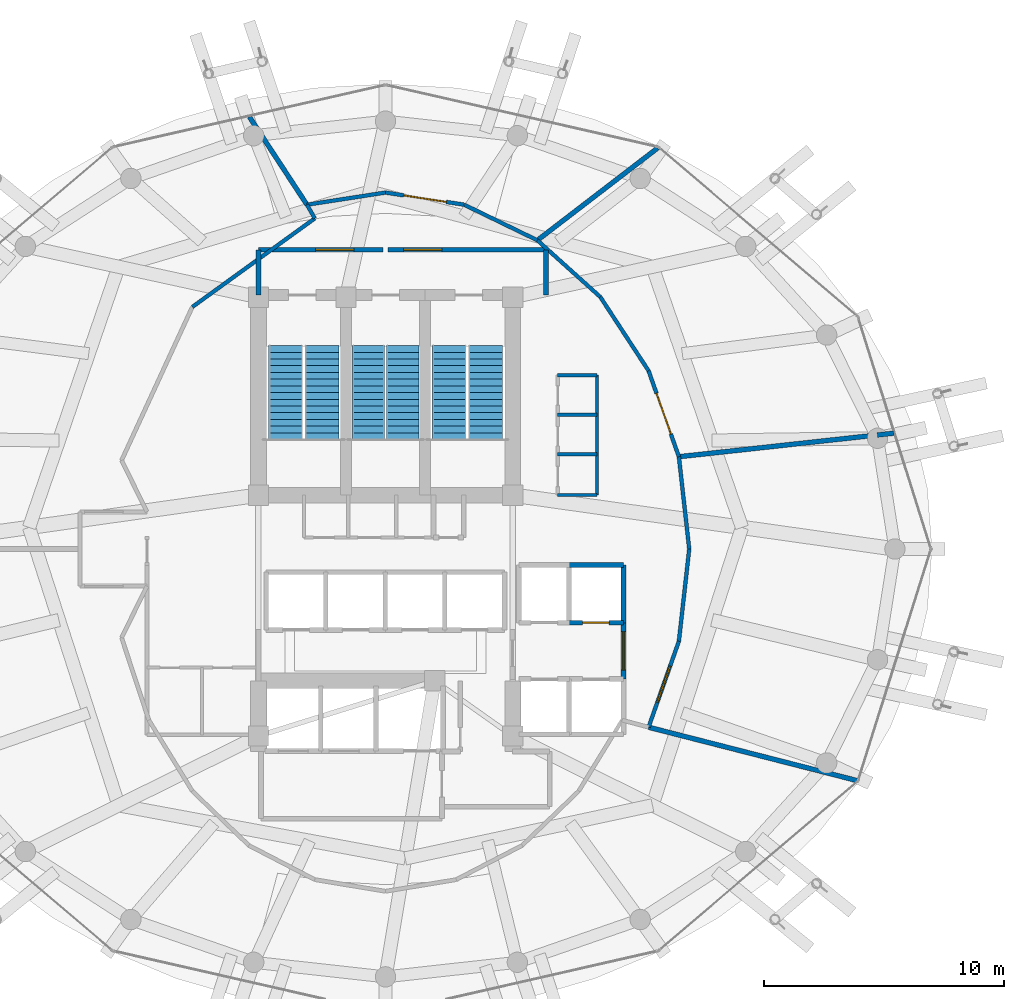
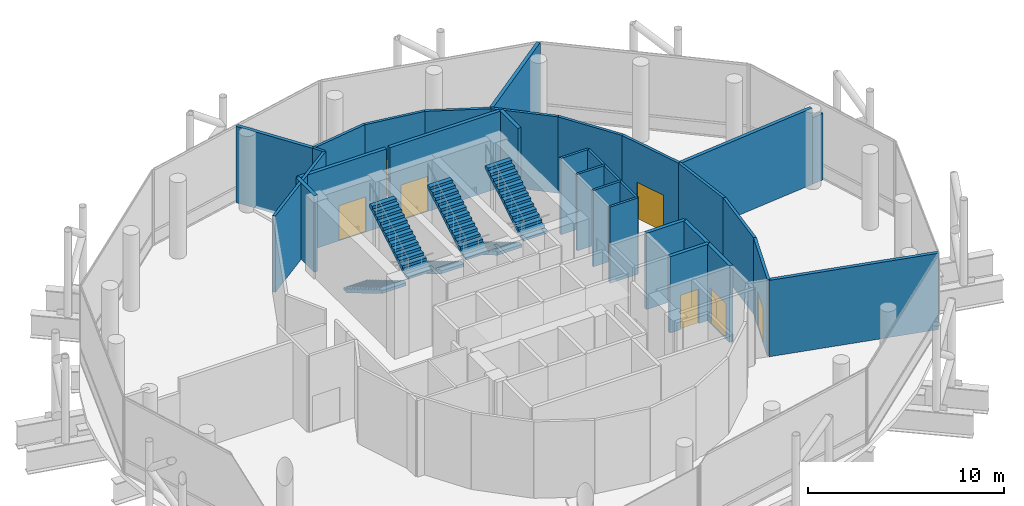
# One storey, part 26 of 31: 29 walls, 7 doors, 6 stair flights, 7 openings, 3 elements without a shape of their own.
"""IFC4 building model written with IfcOpenShell, lengths in metres."""

from ifc_helpers import new_model, si_unit, direction, frame, frame_2d, origin, place, context, subcontext, project, spatial, polyline, rectangle, outline, extrude, material, layer, layer_set, type_object, element, fill, aggregate, save


model = new_model("IFC4")

# Units and contexts
model_context = context("Model", 3, precision=1e-05, world=origin(), true_north=direction((0.0, 1.0)))
body_context = subcontext(model_context, "Body", "Model", "MODEL_VIEW")
ifc_project = project(units=[si_unit("LENGTHUNIT", "METRE"), si_unit("AREAUNIT", "SQUARE_METRE"), si_unit("VOLUMEUNIT", "CUBIC_METRE"), si_unit("PLANEANGLEUNIT", "RADIAN"), si_unit("MASSUNIT", "GRAM", prefix="KILO")], contexts=[model_context])

# Site, building, storey
site_placement = place(None, origin())
site = spatial("IfcSite", under=ifc_project, at=site_placement, CompositionType="ELEMENT")
building_placement = place(site_placement, origin())
building = spatial("IfcBuilding", under=site, at=building_placement, Name="Nuhasar Tower", CompositionType="ELEMENT")
storey_placement = place(building_placement, frame((0.0, 0.0, 203.14990234375)))
storey = spatial("IfcBuildingStorey", under=building, at=storey_placement, Name="L49", CompositionType="ELEMENT", Elevation=203.14990234375)

# Wall, opening, door
ifc_material_1 = material(Name="Gypsum Board", Category="gypsum")
ifc_layer_1 = layer(ifc_material_1, 0.159912109375)
ifc_layer_set_1 = layer_set([ifc_layer_1], Name="Gypsum Board")
wall_type_1 = type_object("IfcWallType", Name="WL-CORR-160", PredefinedType="PARTITIONING", material=ifc_layer_set_1)
wall_1_placement = place(storey_placement, frame((51.238037109375, 22.950927734375, 0.0), z_axis=(0.0, 0.0, 1.0), x_axis=(-0.332705930675, -0.943030627124, 0.0)))
wall_1 = element("IfcWall", 1, at=wall_1_placement, inside=storey, type_object=wall_type_1, Name="L49 Interior Partition CORR-44", PredefinedType="PARTITIONING", context=body_context, shape_type="SweptSolid", body=[
    extrude(rectangle(XDim=3.802490234375, YDim=0.159912109375, at=frame_2d((1.9013671875, 0.0))), origin(), (0.0, 0.0, 1.0), 4.760009765625),
])
opening_1_placement = place(wall_1_placement, frame((1.10107421875, 0.0, 0.0)))
opening_1 = element("IfcOpeningElement", 2, at=opening_1_placement, cuts=wall_1, Name="Opening DC-01", PredefinedType="OPENING", context=body_context, shape_type="SweptSolid", body=[
    extrude(rectangle(XDim=1.60009765625, YDim=2.199951171875, at=frame_2d((0.800048828125, 1.10009765625))), frame((0.0, 0.08984375, 0.0), z_axis=(0.0, -1.0, 0.0), x_axis=(1.0, 0.0, 0.0)), (0.0, 0.0, 1.0), 0.179931640625),
])
ifc_material_2 = material(Name="Steel S355", Category="steel")
door_type_1 = type_object("IfcDoorType", Name="DR-CORR-FD60-1600", OperationType="DOUBLE_DOOR_SINGLE_SWING", PredefinedType="DOOR", material=ifc_material_2)
door_1_placement = place(opening_1_placement, origin())
door_1 = element("IfcDoor", 3, at=door_1_placement, inside=storey, type_object=door_type_1, Name="L49 South-East Management Office Door", OperationType="DOUBLE_DOOR_SINGLE_SWING", OverallHeight=2.199951171875, OverallWidth=1.60009765625, PredefinedType="DOOR", context=body_context, shape_type="SweptSolid", body=[
    extrude(rectangle(XDim=1.60009765625, YDim=2.199951171875, at=frame_2d((0.800048828125, 1.10009765625))), frame((0.0, 0.02490234375, 0.0), z_axis=(0.0, -1.0, 0.0), x_axis=(1.0, 0.0, 0.0)), (0.0, 0.0, 1.0), 0.050048828125),
])
fill(opening_1, door_1)

# Walls
wall_2_placement = place(storey_placement, frame((51.238037109375, 22.950927734375, 0.0), z_axis=(0.0, 0.0, 1.0), x_axis=(0.1115037761, 0.993764010173, 0.0)))
element("IfcWall", 4, at=wall_2_placement, inside=storey, type_object=wall_type_1, Name="L49 Interior Partition CORR-46", PredefinedType="PARTITIONING", context=body_context, shape_type="SweptSolid", body=[
    extrude(rectangle(XDim=3.873291015625, YDim=0.159912109375, at=frame_2d((1.9365234375, 0.0))), origin(), (0.0, 0.0, 1.0), 4.760009765625),
])
wall_3_placement = place(storey_placement, frame((51.669921875, 26.800048828125, 0.0), z_axis=(0.0, 0.0, 1.0), x_axis=(-0.111510761023, 0.993763226416, 0.0)))
element("IfcWall", 5, at=wall_3_placement, inside=storey, type_object=wall_type_1, Name="L49 Interior Partition CORR-00", PredefinedType="PARTITIONING", context=body_context, shape_type="SweptSolid", body=[
    extrude(rectangle(XDim=3.873046875, YDim=0.159912109375, at=frame_2d((1.9365234375, 0.0))), origin(), (0.0, 0.0, 1.0), 4.760009765625),
])

# Wall, opening, door
wall_4_placement = place(storey_placement, frame((49.972900390625, 34.235107421875, 0.0), z_axis=(0.0, 0.0, 1.0), x_axis=(0.332685787644, -0.943037733444, 0.0)))
wall_4 = element("IfcWall", 6, at=wall_4_placement, inside=storey, type_object=wall_type_1, Name="L49 Interior Partition CORR-02", PredefinedType="PARTITIONING", context=body_context, shape_type="SweptSolid", body=[
    extrude(rectangle(XDim=3.802734375, YDim=0.159912109375, at=frame_2d((1.9013671875, 0.0))), origin(), (0.0, 0.0, 1.0), 4.760009765625),
])
opening_2_placement = place(wall_4_placement, frame((1.0009765625, 0.0, 0.0)))
opening_2 = element("IfcOpeningElement", 7, at=opening_2_placement, cuts=wall_4, Name="Opening DB-02", PredefinedType="OPENING", context=body_context, shape_type="SweptSolid", body=[
    extrude(rectangle(XDim=1.800048828125, YDim=2.300048828125, at=frame_2d((0.89990234375, 1.14990234375))), frame((0.0, 0.08984375, 0.0), z_axis=(0.0, -1.0, 0.0), x_axis=(1.0, 0.0, 0.0)), (0.0, 0.0, 1.0), 0.179931640625),
])
ifc_material_3 = material(Name="Aluminium 6063-T6", Category="aluminium")
door_type_2 = type_object("IfcDoorType", Name="DR-BALL-FD60-1800", OperationType="DOUBLE_DOOR_SINGLE_SWING", PredefinedType="DOOR", material=ifc_material_3)
door_2_placement = place(opening_2_placement, origin())
door_2 = element("IfcDoor", 8, at=door_2_placement, inside=storey, type_object=door_type_2, Name="L49 East Sky Hall Door", OperationType="DOUBLE_DOOR_SINGLE_SWING", OverallHeight=2.300048828125, OverallWidth=1.800048828125, PredefinedType="DOOR", context=body_context, shape_type="SweptSolid", body=[
    extrude(rectangle(XDim=1.800048828125, YDim=2.300048828125, at=frame_2d((0.89990234375, 1.14990234375))), frame((0.0, 0.02490234375, 0.0), z_axis=(0.0, -1.0, 0.0), x_axis=(1.0, 0.0, 0.0)), (0.0, 0.0, 1.0), 0.050048828125),
])
fill(opening_2, door_2)

# Walls
wall_5_placement = place(storey_placement, frame((49.972900390625, 34.235107421875, 0.0), z_axis=(0.0, 0.0, 1.0), x_axis=(-0.547283325884, 0.836947406477, 0.0)))
element("IfcWall", 9, at=wall_5_placement, inside=storey, type_object=wall_type_1, Name="L49 Interior Partition CORR-04", PredefinedType="PARTITIONING", context=body_context, shape_type="SweptSolid", body=[
    extrude(rectangle(XDim=3.679931640625, YDim=0.159912109375, at=frame_2d((1.83984375, 0.0))), origin(), (0.0, 0.0, 1.0), 4.760009765625),
])
wall_6_placement = place(storey_placement, frame((47.958984375, 37.31494140625, 0.0), z_axis=(0.0, 0.0, 1.0), x_axis=(-0.743094720901, 0.669186248939, 0.0)))
element("IfcWall", 10, at=wall_6_placement, inside=storey, type_object=wall_type_1, Name="L49 Interior Partition CORR-06", PredefinedType="PARTITIONING", context=body_context, shape_type="SweptSolid", body=[
    extrude(rectangle(XDim=3.53125, YDim=0.159912109375, at=frame_2d((1.765625, 0.0))), origin(), (0.0, 0.0, 1.0), 4.760009765625),
])
wall_7_placement = place(storey_placement, frame((45.3349609375, 39.677978515625, 0.0), z_axis=(0.0, 0.0, 1.0), x_axis=(-0.899414545514, 0.437096642995, 0.0)))
element("IfcWall", 11, at=wall_7_placement, inside=storey, type_object=wall_type_1, Name="L49 Interior Partition CORR-08", PredefinedType="PARTITIONING", context=body_context, shape_type="SweptSolid", body=[
    extrude(rectangle(XDim=3.397705078125, YDim=0.159912109375, at=frame_2d((1.69873046875, 0.0))), origin(), (0.0, 0.0, 1.0), 4.760009765625),
])

# Wall, opening, door
wall_8_placement = place(storey_placement, frame((39.0, 41.669921875, 0.0), z_axis=(0.0, 0.0, 1.0), x_axis=(0.988264270775, -0.15275382519, 0.0)))
wall_8 = element("IfcWall", 12, at=wall_8_placement, inside=storey, type_object=wall_type_1, Name="L49 Interior Partition CORR-10", PredefinedType="PARTITIONING", context=body_context, shape_type="SweptSolid", body=[
    extrude(rectangle(XDim=3.31787109375, YDim=0.159912109375, at=frame_2d((1.658935546875, 0.0))), origin(), (0.0, 0.0, 1.0), 4.760009765625),
])
opening_3_placement = place(wall_8_placement, frame((0.759033203125, 0.0, 0.0)))
opening_3 = element("IfcOpeningElement", 13, at=opening_3_placement, cuts=wall_8, Name="Opening DB-02", PredefinedType="OPENING", context=body_context, shape_type="SweptSolid", body=[
    extrude(rectangle(XDim=1.800048828125, YDim=2.300048828125, at=frame_2d((0.89990234375, 1.14990234375))), frame((0.0, 0.08984375, 0.0), z_axis=(0.0, -1.0, 0.0), x_axis=(1.0, 0.0, 0.0)), (0.0, 0.0, 1.0), 0.179931640625),
])
door_3_placement = place(opening_3_placement, origin())
door_3 = element("IfcDoor", 14, at=door_3_placement, inside=storey, type_object=door_type_2, Name="L49 North Viewing Lounge Door", OperationType="DOUBLE_DOOR_SINGLE_SWING", OverallHeight=2.300048828125, OverallWidth=1.800048828125, PredefinedType="DOOR", context=body_context, shape_type="SweptSolid", body=[
    extrude(rectangle(XDim=1.800048828125, YDim=2.300048828125, at=frame_2d((0.89990234375, 1.14990234375))), frame((0.0, 0.02490234375, 0.0), z_axis=(0.0, -1.0, 0.0), x_axis=(1.0, 0.0, 0.0)), (0.0, 0.0, 1.0), 0.050048828125),
])
fill(opening_3, door_3)

# Walls
wall_9_placement = place(storey_placement, frame((39.0, 41.669921875, 0.0), z_axis=(0.0, 0.0, 1.0), x_axis=(-0.988264270775, -0.15275382519, 0.0)))
element("IfcWall", 15, at=wall_9_placement, inside=storey, type_object=wall_type_1, Name="L49 Interior Partition CORR-12", PredefinedType="PARTITIONING", context=body_context, shape_type="SweptSolid", body=[
    extrude(rectangle(XDim=3.31787109375, YDim=0.159912109375, at=frame_2d((1.658935546875, 0.0))), origin(), (0.0, 0.0, 1.0), 4.760009765625),
])
wall_10_placement = place(storey_placement, frame((36.049072265625, 40.593017578125, 0.0), z_axis=(0.0, 0.0, 1.0), x_axis=(-0.498854625265, 0.866685677078, 0.0)))
element("IfcWall", 16, at=wall_10_placement, inside=storey, type_object=wall_type_1, Name="L49 Interior Partition SRAD-14-IN", PredefinedType="PARTITIONING", context=body_context, shape_type="SweptSolid", body=[
    extrude(rectangle(XDim=0.65771484375, YDim=0.159912109375, at=frame_2d((0.328857421875, 0.0))), origin(), (0.0, 0.0, 1.0), 4.760009765625),
])
wall_11_placement = place(storey_placement, frame((36.049072265625, 40.593017578125, 0.0), z_axis=(0.0, 0.0, 1.0), x_axis=(-0.810271736342, -0.58605436035, 0.0)))
element("IfcWall", 17, at=wall_11_placement, inside=storey, type_object=wall_type_1, Name="L49 Interior Partition SWEST-CORE-N-14", PredefinedType="PARTITIONING", context=body_context, shape_type="SweptSolid", body=[
    extrude(rectangle(XDim=6.306640625, YDim=0.159912109375, at=frame_2d((3.1533203125, 0.0))), origin(), (0.0, 0.0, 1.0), 4.760009765625),
])
ifc_material_4 = material(Name="Concrete C45/55", Category="concrete")
ifc_layer_2 = layer(ifc_material_4, 0.199951171875)
ifc_layer_set_2 = layer_set([ifc_layer_2], Name="Concrete C45/55")
wall_type_2 = type_object("IfcWallType", Name="WL-LOBBY-200", PredefinedType="SOLIDWALL", material=ifc_layer_set_2)
for number, where, z_axis, x_axis, name in (
    (18, (33.699951171875, 37.39990234375, 0.0), (0.0, 0.0, 1.0), (0.0, 1.0, 0.0), "L49 Interior Partition NSL-W"),
    (19, (45.699951171875, 37.39990234375, 0.0), (0.0, 0.0, 1.0), (0.0, 1.0, 0.0), "L49 Interior Partition NSL-E"),
):
    element("IfcWall", number, at=place(storey_placement, frame(where, z_axis=z_axis, x_axis=x_axis)), inside=storey, type_object=wall_type_2, Name=name, PredefinedType="SOLIDWALL", context=body_context, shape_type="SweptSolid", body=[
        extrude(rectangle(XDim=1.880126953125, YDim=0.199951171875, at=frame_2d((0.93994140625, 0.0))), origin(), (0.0, 0.0, 1.0), 4.760009765625),
    ])

# Wall, opening, door
wall_12_placement = place(storey_placement, frame((38.89990234375, 39.280029296875, 0.0), z_axis=(0.0, 0.0, 1.0), x_axis=(-1.0, 0.0, 0.0)))
wall_12 = element("IfcWall", 20, at=wall_12_placement, inside=storey, type_object=wall_type_2, Name="L49 Interior Partition NSL-N1", PredefinedType="SOLIDWALL", context=body_context, shape_type="SweptSolid", body=[
    extrude(rectangle(XDim=5.199951171875, YDim=0.199951171875, at=frame_2d((2.60009765625, 0.0))), origin(), (0.0, 0.0, 1.0), 4.760009765625),
])
opening_4_placement = place(wall_12_placement, frame((1.216064453125, 0.0, 0.0)))
opening_4 = element("IfcOpeningElement", 21, at=opening_4_placement, cuts=wall_12, Name="Opening DC-01", PredefinedType="OPENING", context=body_context, shape_type="SweptSolid", body=[
    extrude(rectangle(XDim=1.60009765625, YDim=2.199951171875, at=frame_2d((0.800048828125, 1.10009765625))), frame((0.0, 0.10986328125, 0.0), z_axis=(0.0, -1.0, 0.0), x_axis=(1.0, 0.0, 0.0)), (0.0, 0.0, 1.0), 0.219970703125),
])
door_4_placement = place(opening_4_placement, origin())
door_4 = element("IfcDoor", 22, at=door_4_placement, inside=storey, type_object=door_type_1, Name="L49 North Stair Lobby West Door", OperationType="DOUBLE_DOOR_SINGLE_SWING", OverallHeight=2.199951171875, OverallWidth=1.60009765625, PredefinedType="DOOR", context=body_context, shape_type="SweptSolid", body=[
    extrude(rectangle(XDim=1.60009765625, YDim=2.199951171875, at=frame_2d((0.800048828125, 1.10009765625))), frame((0.0, 0.02490234375, 0.0), z_axis=(0.0, -1.0, 0.0), x_axis=(1.0, 0.0, 0.0)), (0.0, 0.0, 1.0), 0.050048828125),
])
fill(opening_4, door_4)

wall_13_placement = place(storey_placement, frame((45.699951171875, 39.280029296875, 0.0), z_axis=(0.0, 0.0, 1.0), x_axis=(-1.0, 0.0, 0.0)))
wall_13 = element("IfcWall", 23, at=wall_13_placement, inside=storey, type_object=wall_type_2, Name="L49 Interior Partition NSL-N2", PredefinedType="SOLIDWALL", context=body_context, shape_type="SweptSolid", body=[
    extrude(rectangle(XDim=6.599853515625, YDim=0.199951171875, at=frame_2d((3.2998046875, 0.0))), origin(), (0.0, 0.0, 1.0), 4.760009765625),
])
opening_5_placement = place(wall_13_placement, frame((4.35009765625, 0.0, 0.0)))
opening_5 = element("IfcOpeningElement", 24, at=opening_5_placement, cuts=wall_13, Name="Opening DC-01", PredefinedType="OPENING", context=body_context, shape_type="SweptSolid", body=[
    extrude(rectangle(XDim=1.60009765625, YDim=2.199951171875, at=frame_2d((0.800048828125, 1.10009765625))), frame((0.0, 0.10986328125, 0.0), z_axis=(0.0, -1.0, 0.0), x_axis=(1.0, 0.0, 0.0)), (0.0, 0.0, 1.0), 0.219970703125),
])
door_5_placement = place(opening_5_placement, origin())
door_5 = element("IfcDoor", 25, at=door_5_placement, inside=storey, type_object=door_type_1, Name="L49 North Stair Lobby East Door", OperationType="DOUBLE_DOOR_SINGLE_SWING", OverallHeight=2.199951171875, OverallWidth=1.60009765625, PredefinedType="DOOR", context=body_context, shape_type="SweptSolid", body=[
    extrude(rectangle(XDim=1.60009765625, YDim=2.199951171875, at=frame_2d((0.800048828125, 1.10009765625))), frame((0.0, 0.02490234375, 0.0), z_axis=(0.0, -1.0, 0.0), x_axis=(1.0, 0.0, 0.0)), (0.0, 0.0, 1.0), 0.050048828125),
])
fill(opening_5, door_5)

wall_14_placement = place(storey_placement, frame((48.929931640625, 21.3798828125, 0.0), z_axis=(0.0, 0.0, 1.0), x_axis=(0.0, 1.0, 0.0)))
wall_14 = element("IfcWall", 26, at=wall_14_placement, inside=storey, type_object=wall_type_2, Name="L49 Interior Partition LLBM-E", PredefinedType="SOLIDWALL", context=body_context, shape_type="SweptSolid", body=[
    extrude(rectangle(XDim=2.340087890625, YDim=0.199951171875, at=frame_2d((1.169921875, 0.0))), origin(), (0.0, 0.0, 1.0), 4.760009765625),
])
opening_6_placement = place(wall_14_placement, frame((0.3701171875, 0.0, 0.0)))
opening_6 = element("IfcOpeningElement", 27, at=opening_6_placement, cuts=wall_14, Name="Opening DC-01", PredefinedType="OPENING", context=body_context, shape_type="SweptSolid", body=[
    extrude(rectangle(XDim=1.60009765625, YDim=2.199951171875, at=frame_2d((0.800048828125, 1.10009765625))), frame((0.0, 0.10986328125, 0.0), z_axis=(0.0, -1.0, 0.0), x_axis=(1.0, 0.0, 0.0)), (0.0, 0.0, 1.0), 0.219970703125),
])
door_6_placement = place(opening_6_placement, origin())
door_6 = element("IfcDoor", 28, at=door_6_placement, inside=storey, type_object=door_type_1, Name="L49 Mid-Rise Lift Lobby East Entry", OperationType="DOUBLE_DOOR_SINGLE_SWING", OverallHeight=2.199951171875, OverallWidth=1.60009765625, PredefinedType="DOOR", context=body_context, shape_type="SweptSolid", body=[
    extrude(rectangle(XDim=1.60009765625, YDim=2.199951171875, at=frame_2d((0.800048828125, 1.10009765625))), frame((0.0, 0.02490234375, 0.0), z_axis=(0.0, -1.0, 0.0), x_axis=(1.0, 0.0, 0.0)), (0.0, 0.0, 1.0), 0.050048828125),
])
fill(opening_6, door_6)

ifc_layer_3 = layer(ifc_material_4, 0.199951171875)
ifc_layer_set_3 = layer_set([ifc_layer_3], Name="Concrete C45/55")
wall_type_3 = type_object("IfcWallType", Name="WL-SHAFT-200", PredefinedType="SOLIDWALL", material=ifc_layer_set_3)
wall_15_placement = place(storey_placement, frame((46.6201171875, 23.719970703125, 0.0), z_axis=(0.0, 0.0, 1.0), x_axis=(1.0, 0.0, 0.0)))
wall_15 = element("IfcWall", 29, at=wall_15_placement, inside=storey, type_object=wall_type_3, Name="L49 Interior Partition SHF-PL-M02-S", PredefinedType="SOLIDWALL", context=body_context, shape_type="SweptSolid", body=[
    extrude(rectangle(XDim=2.309814453125, YDim=0.199951171875, at=frame_2d((1.15478515625, 0.0))), origin(), (0.0, 0.0, 1.0), 4.760009765625),
])
opening_7_placement = place(wall_15_placement, frame((0.60498046875, 0.0, 0.0)))
opening_7 = element("IfcOpeningElement", 30, at=opening_7_placement, cuts=wall_15, Name="Opening LD-M02", PredefinedType="OPENING", context=body_context, shape_type="SweptSolid", body=[
    extrude(rectangle(XDim=1.10009765625, YDim=2.14990234375, at=frame_2d((0.550048828125, 1.074951171875))), frame((0.0, 0.10986328125, 0.0), z_axis=(0.0, -1.0, 0.0), x_axis=(1.0, 0.0, 0.0)), (0.0, 0.0, 1.0), 0.219970703125),
])
ifc_material_5 = material(Name="Stainless Steel 316L", Category="steel")
door_type_3 = type_object("IfcDoorType", Name="LD-PAX-1100", OperationType="DOUBLE_DOOR_SLIDING", PredefinedType="DOOR", material=ifc_material_5)
door_7_placement = place(opening_7_placement, origin())
door_7 = element("IfcDoor", 31, at=door_7_placement, inside=storey, type_object=door_type_3, Name="L49 Lift Landing Door PL-M02", OperationType="DOUBLE_DOOR_SLIDING", OverallHeight=2.14990234375, OverallWidth=1.10009765625, PredefinedType="DOOR", context=body_context, shape_type="SweptSolid", body=[
    extrude(rectangle(XDim=1.10009765625, YDim=2.14990234375, at=frame_2d((0.550048828125, 1.074951171875))), frame((0.0, 0.02490234375, 0.0), z_axis=(0.0, -1.0, 0.0), x_axis=(1.0, 0.0, 0.0)), (0.0, 0.0, 1.0), 0.050048828125),
])
fill(opening_7, door_7)

# Walls
wall_16_placement = place(storey_placement, frame((46.6201171875, 26.1298828125, 0.0), z_axis=(0.0, 0.0, 1.0), x_axis=(1.0, 0.0, 0.0)))
element("IfcWall", 32, at=wall_16_placement, inside=storey, type_object=wall_type_3, Name="L49 Interior Partition SHF-PL-M02-N", PredefinedType="SOLIDWALL", context=body_context, shape_type="SweptSolid", body=[
    extrude(rectangle(XDim=2.309814453125, YDim=0.199951171875, at=frame_2d((1.15478515625, 0.0))), origin(), (0.0, 0.0, 1.0), 4.760009765625),
])
wall_17_placement = place(storey_placement, frame((48.929931640625, 23.719970703125, 0.0), z_axis=(0.0, 0.0, 1.0), x_axis=(0.0, 1.0, 0.0)))
element("IfcWall", 33, at=wall_17_placement, inside=storey, type_object=wall_type_3, Name="L49 Interior Partition SHF-PL-M02-E", PredefinedType="SOLIDWALL", context=body_context, shape_type="SweptSolid", body=[
    extrude(rectangle(XDim=2.409912109375, YDim=0.199951171875, at=frame_2d((1.205078125, 0.0))), origin(), (0.0, 0.0, 1.0), 4.760009765625),
])
ifc_material_6 = material(Name="Concrete C40/50 precast", Category="concrete")
ifc_layer_4 = layer(ifc_material_6, 0.199951171875)
ifc_layer_set_4 = layer_set([ifc_layer_4], Name="Concrete C40/50 precast")
wall_type_4 = type_object("IfcWallType", Name="WL-UNIT-200", PredefinedType="PARTITIONING", material=ifc_layer_set_4)
wall_18_placement = place(storey_placement, frame((49.972900390625, 19.364990234375, 0.0), z_axis=(0.0, 0.0, 1.0), x_axis=(0.968785410772, -0.24790084283, 0.0)))
element("IfcWall", 34, at=wall_18_placement, inside=storey, type_object=wall_type_4, Name="L49 Interior Partition SRAD-44", PredefinedType="PARTITIONING", context=body_context, shape_type="SweptSolid", body=[
    extrude(rectangle(XDim=8.987548828125, YDim=0.199951171875, at=frame_2d((4.49365234375, 0.0))), origin(), (0.0, 0.0, 1.0), 4.760009765625),
])
wall_19_placement = place(storey_placement, frame((51.238037109375, 30.64892578125, 0.0), z_axis=(0.0, 0.0, 1.0), x_axis=(0.994055496631, 0.108874559096, 0.0)))
element("IfcWall", 35, at=wall_19_placement, inside=storey, type_object=wall_type_4, Name="L49 Interior Partition SRAD-02", PredefinedType="PARTITIONING", context=body_context, shape_type="SweptSolid", body=[
    extrude(rectangle(XDim=8.33056640625, YDim=0.199951171875, at=frame_2d((4.165283203125, 0.0))), origin(), (0.0, 0.0, 1.0), 4.760009765625),
])
wall_20_placement = place(storey_placement, frame((59.51904296875, 31.555908203125, 0.0), z_axis=(0.0, 0.0, 1.0), x_axis=(0.994008597854, 0.109301909368, 0.0)))
element("IfcWall", 36, at=wall_20_placement, inside=storey, type_object=wall_type_4, Name="L49 Interior Partition SRAD-02", PredefinedType="PARTITIONING", context=body_context, shape_type="SweptSolid", body=[
    extrude(rectangle(XDim=0.68798828125, YDim=0.199951171875, at=frame_2d((0.343994140625, 0.0))), origin(), (0.0, 0.0, 1.0), 4.14501953125),
])
wall_21_placement = place(storey_placement, frame((45.3349609375, 39.677978515625, 0.0), z_axis=(0.0, 0.0, 1.0), x_axis=(0.793373792652, 0.608734774046, 0.0)))
element("IfcWall", 37, at=wall_21_placement, inside=storey, type_object=wall_type_4, Name="L49 Interior Partition SRAD-08", PredefinedType="PARTITIONING", context=body_context, shape_type="SweptSolid", body=[
    extrude(rectangle(XDim=6.337646484375, YDim=0.199951171875, at=frame_2d((3.1689453125, 0.0))), origin(), (0.0, 0.0, 1.0), 4.760009765625),
])
wall_22_placement = place(storey_placement, frame((35.720947265625, 41.1630859375, 0.0), z_axis=(0.0, 0.0, 1.0), x_axis=(-0.547819348022, 0.836596654268, 0.0)))
element("IfcWall", 38, at=wall_22_placement, inside=storey, type_object=wall_type_4, Name="L49 Interior Partition SRAD-14-OUT", PredefinedType="PARTITIONING", context=body_context, shape_type="SweptSolid", body=[
    extrude(rectangle(XDim=4.38427734375, YDim=0.199951171875, at=frame_2d((2.192138671875, 0.0))), origin(), (0.0, 0.0, 1.0), 4.760009765625),
])
ifc_layer_5 = layer(ifc_material_6, 0.139892578125)
ifc_layer_set_5 = layer_set([ifc_layer_5], Name="Concrete C40/50 precast")
wall_type_5 = type_object("IfcWallType", Name="WL-WET-140", PredefinedType="PARTITIONING", material=ifc_layer_set_5)
for number, where, z_axis, x_axis, name in (
    (39, (46.179931640625, 29.050048828125, 0.0), (0.0, 0.0, 1.0), (1.0, 0.0, 0.0), "L49 Interior Partition K1-NE-S"),
    (40, (46.179931640625, 30.75, 0.0), (0.0, 0.0, 1.0), (1.0, 0.0, 0.0), "L49 Interior Partition K1-NE-M1"),
    (41, (46.179931640625, 32.39990234375, 0.0), (0.0, 0.0, 1.0), (1.0, 0.0, 0.0), "L49 Interior Partition K1-NE-M2"),
    (42, (46.179931640625, 34.050048828125, 0.0), (0.0, 0.0, 1.0), (1.0, 0.0, 0.0), "L49 Interior Partition K1-NE-N"),
):
    element("IfcWall", number, at=place(storey_placement, frame(where, z_axis=z_axis, x_axis=x_axis)), inside=storey, type_object=wall_type_5, Name=name, PredefinedType="PARTITIONING", context=body_context, shape_type="SweptSolid", body=[
        extrude(rectangle(XDim=1.64013671875, YDim=0.139892578125, at=frame_2d((0.820068359375, 0.0))), origin(), (0.0, 0.0, 1.0), 4.760009765625),
    ])
wall_23_placement = place(storey_placement, frame((47.820068359375, 29.050048828125, 0.0), z_axis=(0.0, 0.0, 1.0), x_axis=(0.0, 1.0, 0.0)))
element("IfcWall", 43, at=wall_23_placement, inside=storey, type_object=wall_type_5, Name="L49 Interior Partition K1-NE-E", PredefinedType="PARTITIONING", context=body_context, shape_type="SweptSolid", body=[
    extrude(rectangle(XDim=5.0, YDim=0.139892578125, at=frame_2d((2.5, 0.0))), origin(), (0.0, 0.0, 1.0), 4.760009765625),
])

# Stair, stair flights
stair_type_1 = type_object("IfcStairType", Name="STR-ST-01-2F-30R-1667", PredefinedType="HALF_TURN_STAIR", material=ifc_material_4)
stair_1_placement = place(storey_placement, origin())
stair_1 = element("IfcStair", 44, at=stair_1_placement, inside=storey, type_object=stair_type_1, Name="L49 Exit Stair ST-01", PredefinedType="HALF_TURN_STAIR")
stair_flight_type_1 = type_object("IfcStairFlightType", Name="SFL-ST-01-15R-1667", PredefinedType="STRAIGHT", material=ifc_material_4)
stair_flight_1_placement = place(storey_placement, frame((34.830078125, 35.284912109375, 0.0), z_axis=(0.0, 0.0, 1.0), x_axis=(0.0, -1.0, 0.0)))
stair_flight_1 = element("IfcStairFlight", 45, at=stair_flight_1_placement, type_object=stair_flight_type_1, Name="ST-01 flight 1", NumberOfRisers=15, NumberOfTreads=14, PredefinedType="STRAIGHT", RiserHeight=0.166667, TreadLength=0.28, context=body_context, shape_type="SweptSolid", body=[
    extrude(outline(polyline([(0.0, 0.0), (0.0, 0.166748046875), (0.280029296875, 0.166748046875), (0.280029296875, 0.333251953125), (0.56005859375, 0.333251953125), (0.56005859375, 0.5), (0.840087890625, 0.5), (0.840087890625, 0.666748046875), (1.1201171875, 0.666748046875), (1.1201171875, 0.833251953125), (1.39990234375, 0.833251953125), (1.39990234375, 1.0), (1.679931640625, 1.0), (1.679931640625, 1.166748046875), (1.9599609375, 1.166748046875), (1.9599609375, 1.333251953125), (2.239990234375, 1.333251953125), (2.239990234375, 1.5), (2.52001953125, 1.5), (2.52001953125, 1.666748046875), (2.800048828125, 1.666748046875), (2.800048828125, 1.833251953125), (3.080078125, 1.833251953125), (3.080078125, 2.0), (3.360107421875, 2.0), (3.360107421875, 2.166748046875), (3.639892578125, 2.166748046875), (3.639892578125, 2.333251953125), (3.919921875, 2.333251953125), (3.919921875, 2.5), (3.919921875, 2.147216796875), (0.312744140625, 0.0), (0.0, 0.0)])), frame((0.0, 0.7099609375, 0.0), z_axis=(0.0, -1.0, 0.0), x_axis=(1.0, 0.0, 0.0)), (0.0, 0.0, 1.0), 1.419921875),
])
stair_flight_2_placement = place(storey_placement, frame((36.35009765625, 31.364990234375, 2.5), z_axis=(0.0, 0.0, 1.0), x_axis=(0.0, 1.0, 0.0)))
stair_flight_2 = element("IfcStairFlight", 46, at=stair_flight_2_placement, type_object=stair_flight_type_1, Name="ST-01 flight 2", NumberOfRisers=15, NumberOfTreads=14, PredefinedType="STRAIGHT", RiserHeight=0.166667, TreadLength=0.28, context=body_context, shape_type="SweptSolid", body=[
    extrude(outline(polyline([(0.0, 0.0), (0.0, 0.166748046875), (0.280029296875, 0.166748046875), (0.280029296875, 0.333251953125), (0.56005859375, 0.333251953125), (0.56005859375, 0.5), (0.840087890625, 0.5), (0.840087890625, 0.666748046875), (1.1201171875, 0.666748046875), (1.1201171875, 0.833251953125), (1.39990234375, 0.833251953125), (1.39990234375, 1.0), (1.679931640625, 1.0), (1.679931640625, 1.166748046875), (1.9599609375, 1.166748046875), (1.9599609375, 1.333251953125), (2.239990234375, 1.333251953125), (2.239990234375, 1.5), (2.52001953125, 1.5), (2.52001953125, 1.666748046875), (2.800048828125, 1.666748046875), (2.800048828125, 1.833251953125), (3.080078125, 1.833251953125), (3.080078125, 2.0), (3.360107421875, 2.0), (3.360107421875, 2.166748046875), (3.639892578125, 2.166748046875), (3.639892578125, 2.333251953125), (3.919921875, 2.333251953125), (3.919921875, 2.5), (3.919921875, 2.147216796875), (0.312744140625, 0.0), (0.0, 0.0)])), frame((0.0, 0.7099609375, 0.0), z_axis=(0.0, -1.0, 0.0), x_axis=(1.0, 0.0, 0.0)), (0.0, 0.0, 1.0), 1.419921875),
])
aggregate(stair_1, [stair_flight_1, stair_flight_2])

stair_type_2 = type_object("IfcStairType", Name="STR-ST-02-2F-30R-1667", PredefinedType="HALF_TURN_STAIR", material=ifc_material_4)
stair_2_placement = place(storey_placement, origin())
stair_2 = element("IfcStair", 47, at=stair_2_placement, inside=storey, type_object=stair_type_2, Name="L49 Exit Stair ST-02", PredefinedType="HALF_TURN_STAIR")
stair_flight_type_2 = type_object("IfcStairFlightType", Name="SFL-ST-02-15R-1667", PredefinedType="STRAIGHT", material=ifc_material_4)
stair_flight_3_placement = place(storey_placement, frame((41.64990234375, 35.284912109375, 0.0), z_axis=(0.0, 0.0, 1.0), x_axis=(0.0, -1.0, 0.0)))
stair_flight_3 = element("IfcStairFlight", 48, at=stair_flight_3_placement, type_object=stair_flight_type_2, Name="ST-02 flight 1", NumberOfRisers=15, NumberOfTreads=14, PredefinedType="STRAIGHT", RiserHeight=0.166667, TreadLength=0.28, context=body_context, shape_type="SweptSolid", body=[
    extrude(outline(polyline([(0.0, 0.0), (0.0, 0.166748046875), (0.280029296875, 0.166748046875), (0.280029296875, 0.333251953125), (0.56005859375, 0.333251953125), (0.56005859375, 0.5), (0.840087890625, 0.5), (0.840087890625, 0.666748046875), (1.1201171875, 0.666748046875), (1.1201171875, 0.833251953125), (1.39990234375, 0.833251953125), (1.39990234375, 1.0), (1.679931640625, 1.0), (1.679931640625, 1.166748046875), (1.9599609375, 1.166748046875), (1.9599609375, 1.333251953125), (2.239990234375, 1.333251953125), (2.239990234375, 1.5), (2.52001953125, 1.5), (2.52001953125, 1.666748046875), (2.800048828125, 1.666748046875), (2.800048828125, 1.833251953125), (3.080078125, 1.833251953125), (3.080078125, 2.0), (3.360107421875, 2.0), (3.360107421875, 2.166748046875), (3.639892578125, 2.166748046875), (3.639892578125, 2.333251953125), (3.919921875, 2.333251953125), (3.919921875, 2.5), (3.919921875, 2.147216796875), (0.312744140625, 0.0), (0.0, 0.0)])), frame((0.0, 0.7099609375, 0.0), z_axis=(0.0, -1.0, 0.0), x_axis=(1.0, 0.0, 0.0)), (0.0, 0.0, 1.0), 1.419921875),
])
stair_flight_4_placement = place(storey_placement, frame((43.169921875, 31.364990234375, 2.5), z_axis=(0.0, 0.0, 1.0), x_axis=(0.0, 1.0, 0.0)))
stair_flight_4 = element("IfcStairFlight", 49, at=stair_flight_4_placement, type_object=stair_flight_type_2, Name="ST-02 flight 2", NumberOfRisers=15, NumberOfTreads=14, PredefinedType="STRAIGHT", RiserHeight=0.166667, TreadLength=0.28, context=body_context, shape_type="SweptSolid", body=[
    extrude(outline(polyline([(0.0, 0.0), (0.0, 0.166748046875), (0.280029296875, 0.166748046875), (0.280029296875, 0.333251953125), (0.56005859375, 0.333251953125), (0.56005859375, 0.5), (0.840087890625, 0.5), (0.840087890625, 0.666748046875), (1.1201171875, 0.666748046875), (1.1201171875, 0.833251953125), (1.39990234375, 0.833251953125), (1.39990234375, 1.0), (1.679931640625, 1.0), (1.679931640625, 1.166748046875), (1.9599609375, 1.166748046875), (1.9599609375, 1.333251953125), (2.239990234375, 1.333251953125), (2.239990234375, 1.5), (2.52001953125, 1.5), (2.52001953125, 1.666748046875), (2.800048828125, 1.666748046875), (2.800048828125, 1.833251953125), (3.080078125, 1.833251953125), (3.080078125, 2.0), (3.360107421875, 2.0), (3.360107421875, 2.166748046875), (3.639892578125, 2.166748046875), (3.639892578125, 2.333251953125), (3.919921875, 2.333251953125), (3.919921875, 2.5), (3.919921875, 2.147216796875), (0.312744140625, 0.0), (0.0, 0.0)])), frame((0.0, 0.7099609375, 0.0), z_axis=(0.0, -1.0, 0.0), x_axis=(1.0, 0.0, 0.0)), (0.0, 0.0, 1.0), 1.419921875),
])
aggregate(stair_2, [stair_flight_3, stair_flight_4])

stair_type_3 = type_object("IfcStairType", Name="STR-ST-03-2F-30R-1667", PredefinedType="HALF_TURN_STAIR", material=ifc_material_4)
stair_3_placement = place(storey_placement, origin())
stair_3 = element("IfcStair", 50, at=stair_3_placement, inside=storey, type_object=stair_type_3, Name="L49 Exit Stair ST-03", PredefinedType="HALF_TURN_STAIR")
stair_flight_type_3 = type_object("IfcStairFlightType", Name="SFL-ST-03-15R-1667", PredefinedType="STRAIGHT", material=ifc_material_4)
stair_flight_5_placement = place(storey_placement, frame((38.280029296875, 35.284912109375, 0.0), z_axis=(0.0, 0.0, 1.0), x_axis=(0.0, -1.0, 0.0)))
stair_flight_5 = element("IfcStairFlight", 51, at=stair_flight_5_placement, type_object=stair_flight_type_3, Name="ST-03 flight 1", NumberOfRisers=15, NumberOfTreads=14, PredefinedType="STRAIGHT", RiserHeight=0.166667, TreadLength=0.28, context=body_context, shape_type="SweptSolid", body=[
    extrude(outline(polyline([(0.0, 0.0), (0.0, 0.166748046875), (0.280029296875, 0.166748046875), (0.280029296875, 0.333251953125), (0.56005859375, 0.333251953125), (0.56005859375, 0.5), (0.840087890625, 0.5), (0.840087890625, 0.666748046875), (1.1201171875, 0.666748046875), (1.1201171875, 0.833251953125), (1.39990234375, 0.833251953125), (1.39990234375, 1.0), (1.679931640625, 1.0), (1.679931640625, 1.166748046875), (1.9599609375, 1.166748046875), (1.9599609375, 1.333251953125), (2.239990234375, 1.333251953125), (2.239990234375, 1.5), (2.52001953125, 1.5), (2.52001953125, 1.666748046875), (2.800048828125, 1.666748046875), (2.800048828125, 1.833251953125), (3.080078125, 1.833251953125), (3.080078125, 2.0), (3.360107421875, 2.0), (3.360107421875, 2.166748046875), (3.639892578125, 2.166748046875), (3.639892578125, 2.333251953125), (3.919921875, 2.333251953125), (3.919921875, 2.5), (3.919921875, 2.147216796875), (0.312744140625, 0.0), (0.0, 0.0)])), frame((0.0, 0.669921875, 0.0), z_axis=(0.0, -1.0, 0.0), x_axis=(1.0, 0.0, 0.0)), (0.0, 0.0, 1.0), 1.340087890625),
])
stair_flight_6_placement = place(storey_placement, frame((39.719970703125, 31.364990234375, 2.5), z_axis=(0.0, 0.0, 1.0), x_axis=(0.0, 1.0, 0.0)))
stair_flight_6 = element("IfcStairFlight", 52, at=stair_flight_6_placement, type_object=stair_flight_type_3, Name="ST-03 flight 2", NumberOfRisers=15, NumberOfTreads=14, PredefinedType="STRAIGHT", RiserHeight=0.166667, TreadLength=0.28, context=body_context, shape_type="SweptSolid", body=[
    extrude(outline(polyline([(0.0, 0.0), (0.0, 0.166748046875), (0.280029296875, 0.166748046875), (0.280029296875, 0.333251953125), (0.56005859375, 0.333251953125), (0.56005859375, 0.5), (0.840087890625, 0.5), (0.840087890625, 0.666748046875), (1.1201171875, 0.666748046875), (1.1201171875, 0.833251953125), (1.39990234375, 0.833251953125), (1.39990234375, 1.0), (1.679931640625, 1.0), (1.679931640625, 1.166748046875), (1.9599609375, 1.166748046875), (1.9599609375, 1.333251953125), (2.239990234375, 1.333251953125), (2.239990234375, 1.5), (2.52001953125, 1.5), (2.52001953125, 1.666748046875), (2.800048828125, 1.666748046875), (2.800048828125, 1.833251953125), (3.080078125, 1.833251953125), (3.080078125, 2.0), (3.360107421875, 2.0), (3.360107421875, 2.166748046875), (3.639892578125, 2.166748046875), (3.639892578125, 2.333251953125), (3.919921875, 2.333251953125), (3.919921875, 2.5), (3.919921875, 2.147216796875), (0.312744140625, 0.0), (0.0, 0.0)])), frame((0.0, 0.669921875, 0.0), z_axis=(0.0, -1.0, 0.0), x_axis=(1.0, 0.0, 0.0)), (0.0, 0.0, 1.0), 1.340087890625),
])
aggregate(stair_3, [stair_flight_5, stair_flight_6])

save(model, "model.ifc")
